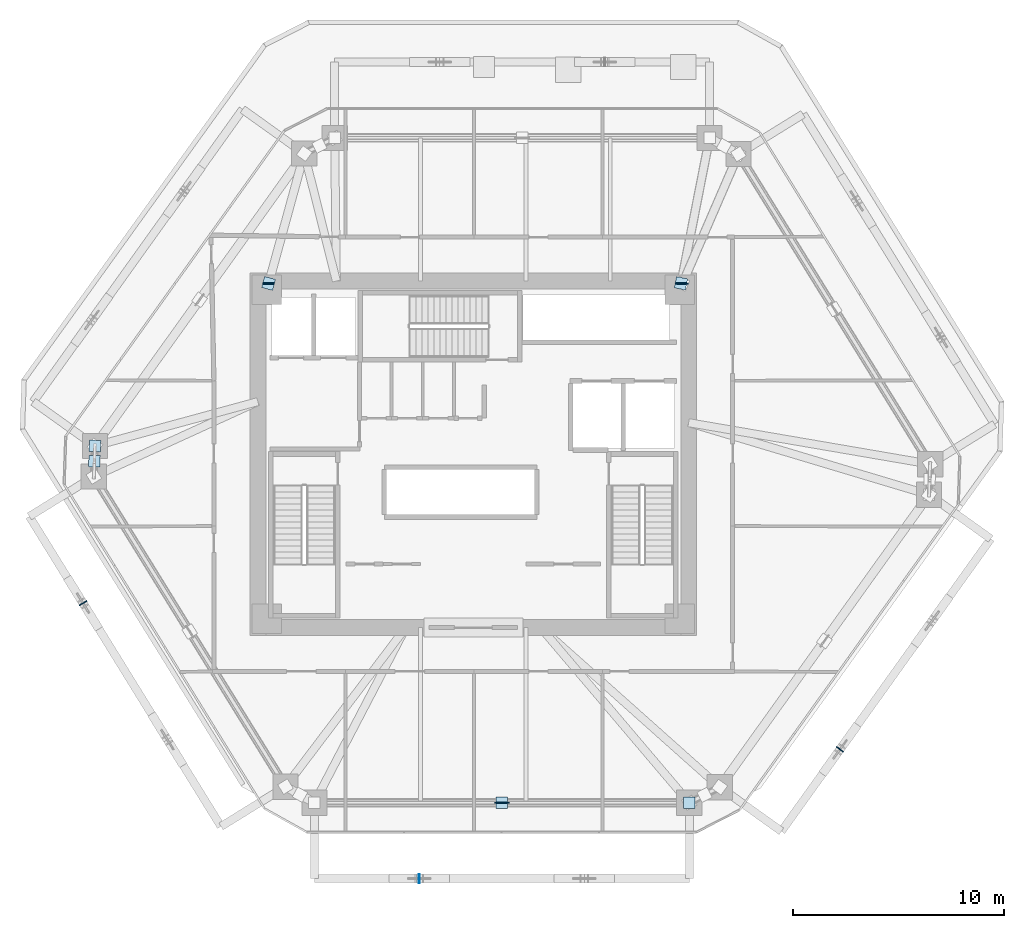
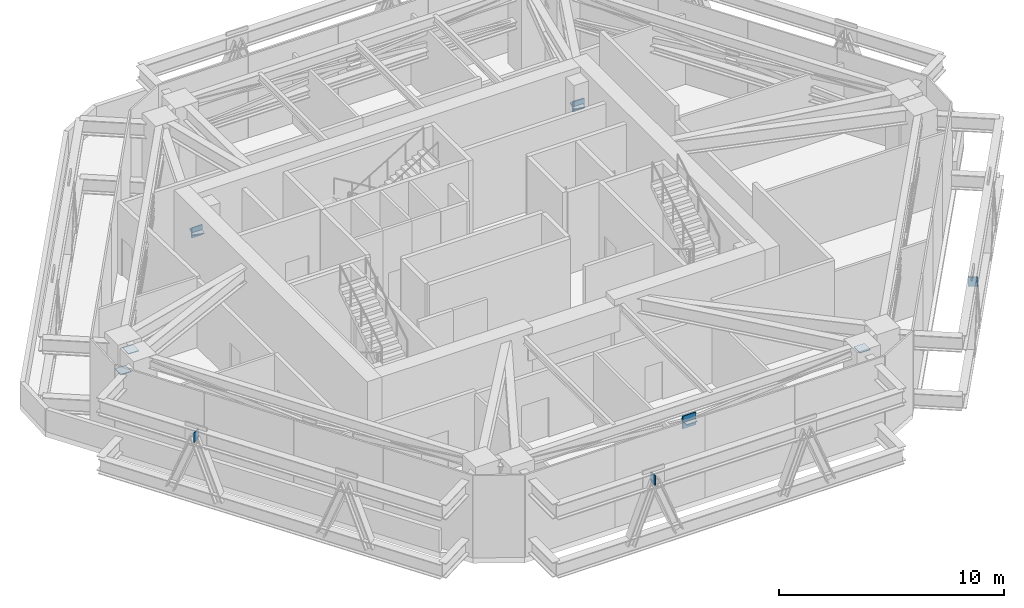
# One storey, part 6 of 11: 13 plates.
"""IFC4 building model written with IfcOpenShell, lengths in metres."""

import ifcopenshell
import ifcopenshell.guid

model = None  # the IFC model being written
_history = None  # IfcOwnerHistory: only IFC2X3 demands one
_inside = {}  # id of a spatial element -> (the spatial element, [elements in it])
_under = {}  # id of a project, library or spatial element -> (it, [spatial elements below it])
_declared = {}  # id of a project -> (the project, [libraries it declares])
_typed = {}  # id of a type object -> (the type object, [elements of that type])
_made_of = {}  # id of a material, layer set ... -> (it, [elements and type objects made of it])


def new_model(schema):
    """Start an empty IFC model of exactly this schema.

    Asked for "IFC4X3", IfcOpenShell would pick the latest addendum, in which some entities
    have other attributes; the version numbers below select the first issue.
    IFC2X3 requires an IfcOwnerHistory on every rooted entity: one is made here for all.
    """
    global model, _history
    if schema == "IFC4X3":
        model = ifcopenshell.file(schema_version=(4, 3, 0, 0))
    else:
        model = ifcopenshell.file(schema=schema)
    _inside.clear()
    _under.clear()
    _declared.clear()
    _typed.clear()
    _made_of.clear()
    _history = None
    if model.schema == "IFC2X3":
        org = make("IfcOrganization", Name="unknown")
        user = make(
            "IfcPersonAndOrganization",
            ThePerson=make("IfcPerson", FamilyName="unknown"),
            TheOrganization=org,
        )
        app = make(
            "IfcApplication",
            ApplicationDeveloper=org,
            Version="unknown",
            ApplicationFullName="unknown",
            ApplicationIdentifier="unknown",
        )
        _history = make(
            "IfcOwnerHistory",
            OwningUser=user,
            OwningApplication=app,
            ChangeAction="ADDED",
            CreationDate=0,
        )
    return model


def make(cls, **values):
    """One entity of the class cls with the attributes given. An attribute that is None is left unset."""
    return model.create_entity(
        cls, **{name: value for name, value in values.items() if value is not None}
    )


def rooted(cls, **values):
    """An entity with a GlobalId (a new one), such as an element, a storey or a relation."""
    return make(cls, GlobalId=ifcopenshell.guid.new(), OwnerHistory=_history, **values)


def si_unit(unit_type, name, prefix=None):
    """IfcSIUnit, for example si_unit("LENGTHUNIT", "METRE", prefix="MILLI")."""
    return make("IfcSIUnit", UnitType=unit_type, Prefix=prefix, Name=name)


def assignment(units):
    """IfcUnitAssignment: the units of a project."""
    return None if units is None else make("IfcUnitAssignment", Units=units)


def point(xyz):
    """IfcCartesianPoint."""
    return None if xyz is None else make("IfcCartesianPoint", Coordinates=xyz)


def direction(xyz):
    """IfcDirection."""
    return None if xyz is None else make("IfcDirection", DirectionRatios=xyz)


def frame(location, z_axis=None, x_axis=None):
    """IfcAxis2Placement3D, a coordinate frame: its origin and axes. An axis left out is left unset."""
    return make(
        "IfcAxis2Placement3D",
        Location=point(location),
        Axis=direction(z_axis),
        RefDirection=direction(x_axis),
    )


def frame_2d(location, x_axis=None):
    """IfcAxis2Placement2D, a coordinate frame in the plane: its origin and x axis."""
    return make(
        "IfcAxis2Placement2D", Location=point(location), RefDirection=direction(x_axis)
    )


def origin():
    """The frame at (0, 0, 0) with its axes left unset."""
    return frame((0.0, 0.0, 0.0))


def origin_2d():
    """The frame at (0, 0) in the plane with its x axis left unset."""
    return frame_2d((0.0, 0.0))


def place(relative_to, where):
    """IfcLocalPlacement: puts the frame where relative to a parent placement (None: the world)."""
    return make(
        "IfcLocalPlacement", PlacementRelTo=relative_to, RelativePlacement=where
    )


def context(
    kind, dimensions, precision=None, world=None, true_north=None, identifier=None
):
    """IfcGeometricRepresentationContext, for example the 3D "Model" context."""
    return make(
        "IfcGeometricRepresentationContext",
        ContextIdentifier=identifier,
        ContextType=kind,
        CoordinateSpaceDimension=dimensions,
        Precision=precision,
        WorldCoordinateSystem=world,
        TrueNorth=true_north,
    )


def subcontext(parent, identifier, kind, view, scale=None):
    """IfcGeometricRepresentationSubContext, for example "Body" below "Model"."""
    return make(
        "IfcGeometricRepresentationSubContext",
        ContextIdentifier=identifier,
        ContextType=kind,
        ParentContext=parent,
        TargetScale=scale,
        TargetView=view,
    )


def project(units=None, contexts=None):
    """IfcProject with its units and contexts."""
    return rooted(
        "IfcProject",
        Name="project",
        RepresentationContexts=contexts,
        UnitsInContext=assignment(units),
    )


def spatial(cls, under=None, at=None, **own):
    """A site, building, storey or space (cls), placed at a placement, below another one or the project."""
    s = rooted(cls, ObjectPlacement=at, **own)
    if under is not None:
        _under.setdefault(under.id(), (under, []))[1].append(s)
    return s


def profile(cls, at=None, kind="AREA", **sizes):
    """A parametric profile (cls). Its sizes go by their IFC names, for example OverallWidth=200.0."""
    return make(cls, ProfileType=kind, Position=at, **sizes)


def rectangle(**sizes):
    """IfcRectangleProfileDef."""
    return profile("IfcRectangleProfileDef", **sizes)


def extrude(swept, where, along, depth):
    """IfcExtrudedAreaSolid: the profile swept, set in the frame where, extruded along a direction by depth."""
    return make(
        "IfcExtrudedAreaSolid",
        SweptArea=swept,
        Position=where,
        ExtrudedDirection=direction(along),
        Depth=depth,
    )


def shape(context_of_items, identifier, shape_type, items):
    """IfcShapeRepresentation: the items that make up one representation, for example the "Body"."""
    return make(
        "IfcShapeRepresentation",
        ContextOfItems=context_of_items,
        RepresentationIdentifier=identifier,
        RepresentationType=shape_type,
        Items=items,
    )


def source(mapping_origin, context_of_items, identifier, shape_type, items):
    """IfcRepresentationMap: a shape defined once, which mapped items show again and again."""
    return make(
        "IfcRepresentationMap",
        MappingOrigin=mapping_origin,
        MappedRepresentation=shape(context_of_items, identifier, shape_type, items),
    )


def transform(
    local_origin,
    x_axis=None,
    y_axis=None,
    z_axis=None,
    scale=None,
    scale2=None,
    scale3=None,
    uniform=True,
):
    """IfcCartesianTransformationOperator3D, or its non-uniform kind. x_axis, y_axis, z_axis: its Axis1, 2, 3."""
    if uniform:
        return make(
            "IfcCartesianTransformationOperator3D",
            Axis1=direction(x_axis),
            Axis2=direction(y_axis),
            LocalOrigin=point(local_origin),
            Scale=scale,
            Axis3=direction(z_axis),
        )
    return make(
        "IfcCartesianTransformationOperator3DnonUniform",
        Axis1=direction(x_axis),
        Axis2=direction(y_axis),
        LocalOrigin=point(local_origin),
        Scale=scale,
        Axis3=direction(z_axis),
        Scale2=scale2,
        Scale3=scale3,
    )


def mapped(mapping_source, mapping_target):
    """IfcMappedItem: shows the shape of a source again, moved by a transform."""
    return make(
        "IfcMappedItem", MappingSource=mapping_source, MappingTarget=mapping_target
    )


def material(Name=None, Category=None):
    """IfcMaterial."""
    return make("IfcMaterial", Name=Name, Category=Category)


def layer(
    of_material, thickness, ventilated=None, Name=None, Category=None, Priority=None
):
    """IfcMaterialLayer: one layer of a wall or slab, of a material (None: an air gap)."""
    return make(
        "IfcMaterialLayer",
        Material=of_material,
        LayerThickness=thickness,
        IsVentilated=ventilated,
        Name=Name,
        Category=Category,
        Priority=Priority,
    )


def layer_set(layers, Name=None):
    """IfcMaterialLayerSet."""
    return make("IfcMaterialLayerSet", MaterialLayers=layers, LayerSetName=Name)


def made_of(thing, what):
    """Note that an element or type object is made of a material, layer set ...; save() writes the relation."""
    if what is not None:
        _made_of.setdefault(what.id(), (what, []))[1].append(thing)
    return thing


def type_object(cls, material=None, **own):
    """A type object (cls), such as IfcWallType, which elements share."""
    return made_of(rooted(cls, **own), material)


def type_shapes(of_type, sources):
    """Give a type object the sources (RepresentationMaps) that its elements show as mapped items."""
    of_type.RepresentationMaps = sources


def element(
    cls,
    number,
    at=None,
    inside=None,
    cuts=None,
    type_object=None,
    material=None,
    context=None,
    identifier="Body",
    shape_type=None,
    held_by="IfcProductDefinitionShape",
    body=None,
    shapes=None,
    **own,
):
    """One element of the class cls, such as IfcWall. Its Tag is "e" and its number.

    at: its placement. inside: the storey or other place that contains it. cuts: it is an
    opening in that element (IfcRelVoidsElement). A single representation is given by context,
    identifier, shape_type and body (its items); several are given by shapes. held_by: the class
    of the entity that holds the representations. save() writes the other relations.
    """
    e = rooted(cls, Tag="e%d" % number, ObjectPlacement=at, **own)
    if body is not None:
        shapes = [shape(context, identifier, shape_type, body)]
    if shapes is not None:
        e.Representation = make(held_by, Representations=shapes)
    if inside is not None:
        _inside.setdefault(inside.id(), (inside, []))[1].append(e)
    if cuts is not None:
        rooted(
            "IfcRelVoidsElement", RelatingBuildingElement=cuts, RelatedOpeningElement=e
        )
    if type_object is not None:
        _typed.setdefault(type_object.id(), (type_object, []))[1].append(e)
    return made_of(e, material)


def aggregate(whole, parts):
    """IfcRelAggregates: a whole, such as a stair, and the parts it consists of."""
    return rooted("IfcRelAggregates", RelatingObject=whole, RelatedObjects=parts)


def save(model, path):
    """Write the relations noted so far, then the file.

    IfcRelAggregates (storeys below a building ...), IfcRelContainedInSpatialStructure (elements
    in a storey), IfcRelDefinesByType, IfcRelAssociatesMaterial and IfcRelDeclares: one each for
    every whole, place, type object, material and project.
    """
    for whole, parts in _under.values():
        aggregate(whole, parts)
    for where, things in _inside.values():
        rooted(
            "IfcRelContainedInSpatialStructure",
            RelatedElements=things,
            RelatingStructure=where,
        )
    for kind, things in _typed.values():
        rooted("IfcRelDefinesByType", RelatedObjects=things, RelatingType=kind)
    for what, things in _made_of.values():
        rooted("IfcRelAssociatesMaterial", RelatedObjects=things, RelatingMaterial=what)
    for by, libraries in _declared.values():
        rooted("IfcRelDeclares", RelatingContext=by, RelatedDefinitions=libraries)
    model.write(path)


model = new_model("IFC4")

# Units and contexts
model_context = context("Model", 3, precision=1e-05, world=origin(), true_north=direction((0.0, 1.0)))
body_context = subcontext(model_context, "Body", "Model", "MODEL_VIEW")
ifc_project = project(units=[si_unit("LENGTHUNIT", "METRE"), si_unit("AREAUNIT", "SQUARE_METRE"), si_unit("VOLUMEUNIT", "CUBIC_METRE"), si_unit("PLANEANGLEUNIT", "RADIAN"), si_unit("MASSUNIT", "GRAM", prefix="KILO")], contexts=[model_context])

# Site, building, storey
site_placement = place(None, origin())
site = spatial("IfcSite", under=ifc_project, at=site_placement, CompositionType="ELEMENT")
building_placement = place(site_placement, origin())
building = spatial("IfcBuilding", under=site, at=building_placement, Name="Durnholm Broadcast Tower", CompositionType="ELEMENT")
storey_placement = place(building_placement, frame((0.0, 0.0, 150.300048828125)))
storey = spatial("IfcBuildingStorey", under=building, at=storey_placement, Name="L41", CompositionType="ELEMENT", Elevation=150.300048828125)

# Plates
ifc_material_1 = material(Name="Steel ASTM A572 Grade 50", Category="steel")
ifc_layer_1 = layer(ifc_material_1, 0.0400390625)
ifc_layer_set_1 = layer_set([ifc_layer_1], Name="Steel ASTM A572 Grade 50")
plate_type_1 = type_object("IfcPlateType", Name="PLT-KN-CAP", PredefinedType="USERDEFINED", material=ifc_layer_set_1)
shared_shape_1 = source(origin(), body_context, "Body", "SweptSolid", [
    extrude(rectangle(XDim=0.5400390625, YDim=0.5400390625, at=origin_2d()), origin(), (0.0, 0.0, 1.0), 0.0400390625),
])
type_shapes(plate_type_1, [shared_shape_1])
for number, where, z_axis, x_axis, name in (
    (1, (-17.9599609375, 0.3955078125, 2.530029296875), (0.0, 0.0, 1.0), (0.033852918131, 0.999426825703, 0.0), "L41 hollow section end cap plate BT-CH-L41-02 2"),
    (2, (-17.984619140625, -0.33056640625, 4.10986328125), (0.0, 0.0, 1.0), (0.033852918131, 0.999426825703, 0.0), "L41 hollow section end cap plate BT-BR-L41-02-1 2"),
    (3, (1.358642578125, -16.5419921875, 3.31982421875), (0.0, 0.0, 1.0), (1.0, 0.0, 0.0), "L41 hollow section end cap plate BT-XSPLIT-L41-11-1 2"),
    (4, (10.256591796875, -16.5419921875, 4.10986328125), (0.0, 0.0, 1.0), (1.0, 0.0, 0.0), "L41 hollow section end cap plate BT-XSPLIT-L41-11-2 2"),
    (5, (-9.71533203125, 8.108642578125, 2.530029296875), (0.0, 0.0, 1.0), (0.264714684522, 0.964326778534, 0.0), "L41 hollow section end cap plate OUT-STR-L41-04 1"),
    (6, (9.86181640625, 8.114013671875, 2.530029296875), (0.0, 0.0, 1.0), (0.192693231472, 0.981259047624, 0.0), "L41 hollow section end cap plate OUT-STR-L41-06 1"),
):
    element("IfcPlate", number, at=place(storey_placement, frame(where, z_axis=z_axis, x_axis=x_axis)), inside=storey, type_object=plate_type_1, Name=name, ObjectType="CAP_PLATE", PredefinedType="USERDEFINED", context=body_context, shape_type="MappedRepresentation", body=[
        mapped(shared_shape_1, transform((0.0, 0.0, 0.0), x_axis=(1.0, 0.0, 0.0), y_axis=(0.0, 1.0, 0.0), z_axis=(0.0, 0.0, 1.0), scale=1.0)),
    ])
ifc_material_2 = material(Name="ASTM A572 Grade 50 Steel", Category="steel")
ifc_layer_2 = layer(ifc_material_2, 0.06005859375)
ifc_layer_set_2 = layer_set([ifc_layer_2], Name="ASTM A572 Grade 50 Steel")
plate_type_2 = type_object("IfcPlateType", Name="PLT-KN-X1", PredefinedType="USERDEFINED", material=ifc_layer_set_2)
shared_shape_2 = source(origin(), body_context, "Body", "SweptSolid", [
    extrude(rectangle(XDim=0.679931640625, YDim=0.06005859375, at=origin_2d()), origin(), (0.0, 0.0, 1.0), 0.679931640625),
])
type_shapes(plate_type_2, [shared_shape_2])
plate_placement = place(storey_placement, frame((1.358642578125, -16.5419921875, 3.0), z_axis=(0.0, 0.0, 1.0), x_axis=(-1.0, 0.0, 0.0)))
element("IfcPlate", 7, at=plate_placement, inside=storey, type_object=plate_type_2, Name="L41 belt-truss X-brace crossing gusset plate 11", ObjectType="GUSSET_PLATE", PredefinedType="USERDEFINED", context=body_context, shape_type="MappedRepresentation", body=[
    mapped(shared_shape_2, transform((0.0, 0.0, 0.0), x_axis=(1.0, 0.0, 0.0), y_axis=(0.0, 1.0, 0.0), z_axis=(0.0, 0.0, 1.0), scale=1.0)),
])
ifc_layer_3 = layer(ifc_material_1, 0.044921875)
ifc_layer_set_3 = layer_set([ifc_layer_3], Name="Steel ASTM A572 Grade 50")
plate_type_3 = type_object("IfcPlateType", Name="PLT-KN-STIF", PredefinedType="SHEET", material=ifc_layer_set_3)
shared_shape_3 = source(origin(), body_context, "Body", "SweptSolid", [
    extrude(rectangle(XDim=0.550048828125, YDim=0.06005859375, at=origin_2d()), origin(), (0.0, 0.0, 1.0), 0.550048828125),
])
for number, where, z_axis, x_axis, name in (
    (8, (-9.71533203125, 8.108642578125, 2.27490234375), (0.0, 0.0, 1.0), (1.0, 0.0, 0.0), "L41 core wall cast-in outrigger embedment plate 04"),
    (9, (9.86181640625, 8.114013671875, 2.27490234375), (0.0, 0.0, 1.0), (1.0, 0.0, 0.0), "L41 core wall cast-in outrigger embedment plate 06"),
    (10, (9.927001953125, 8.09375, 2.27490234375), (0.0, 0.0, 1.0), (1.0, 0.0, 0.0), "L41 core wall cast-in outrigger embedment plate 07"),
):
    element("IfcPlate", number, at=place(storey_placement, frame(where, z_axis=z_axis, x_axis=x_axis)), inside=storey, type_object=plate_type_3, Name=name, ObjectType="GUSSET_PLATE", PredefinedType="USERDEFINED", context=body_context, shape_type="MappedRepresentation", body=[
        mapped(shared_shape_3, transform((0.0, 0.0, 0.0), x_axis=(1.0, 0.0, 0.0), y_axis=(0.0, 1.0, 0.0), z_axis=(0.0, 0.0, 1.0), scale=1.0)),
    ])
shared_shape_4 = source(origin(), body_context, "Body", "SweptSolid", [
    extrude(rectangle(XDim=0.044921875, YDim=0.419921875, at=origin_2d()), origin(), (0.0, 0.0, 1.0), 0.52001953125),
])
type_shapes(plate_type_3, [shared_shape_3, shared_shape_4])
for number, where, z_axis, x_axis, name in (
    (11, (-2.556640625, -20.14208984375, 3.468505859375), (0.0, 0.0, 1.0), (1.0, 0.0, 0.0), "L41 welded diagrid node stiffener plate F1"),
    (12, (17.40966796875, -14.009521484375, 3.468505859375), (0.0, 0.0, 1.0), (0.582122970157, 0.813100761047, 0.0), "L41 welded diagrid node stiffener plate F2"),
    (13, (-18.5244140625, -7.07080078125, 3.468505859375), (0.0, 0.0, 1.0), (0.525768608156, -0.850627633385, 0.0), "L41 welded diagrid node stiffener plate F6"),
):
    element("IfcPlate", number, at=place(storey_placement, frame(where, z_axis=z_axis, x_axis=x_axis)), inside=storey, type_object=plate_type_3, Name=name, PredefinedType="SHEET", context=body_context, shape_type="MappedRepresentation", body=[
        mapped(shared_shape_4, transform((0.0, 0.0, 0.0), x_axis=(1.0, 0.0, 0.0), y_axis=(0.0, 1.0, 0.0), z_axis=(0.0, 0.0, 1.0), scale=1.0)),
    ])

save(model, "model.ifc")
